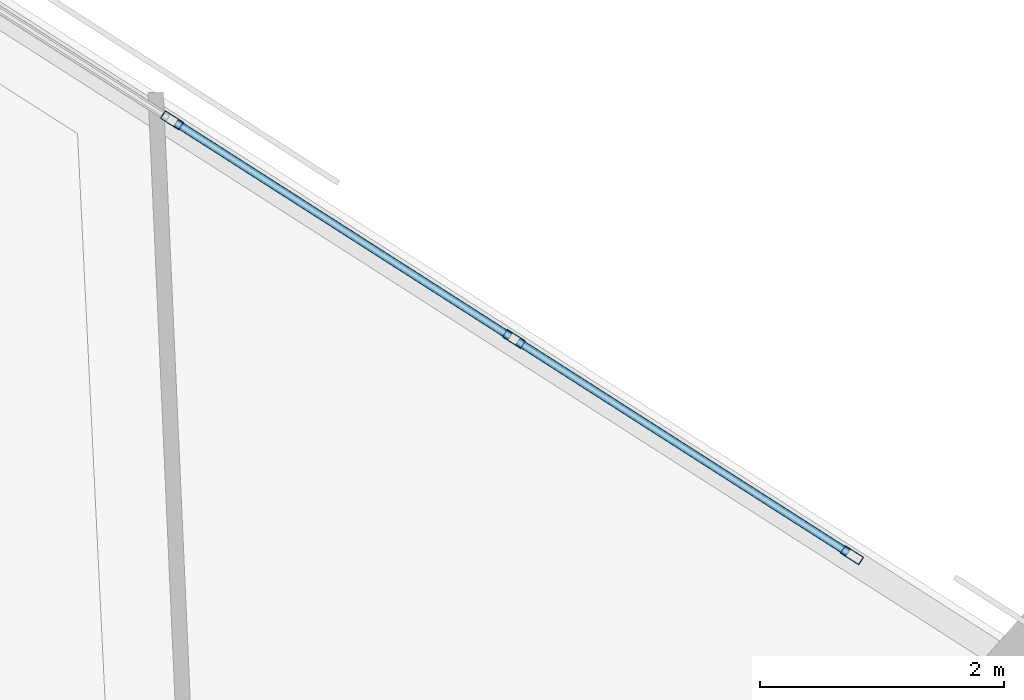
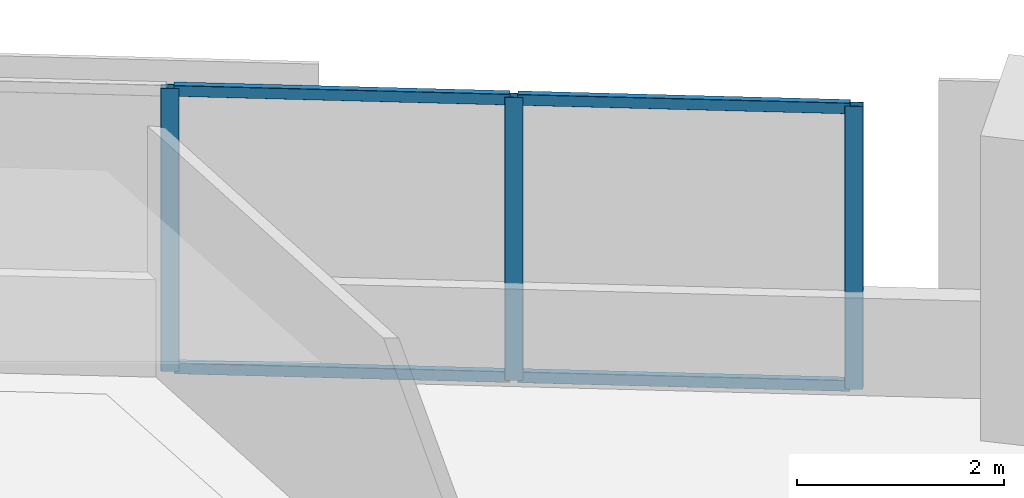
# One storey, part 9 of 15: 7 members, 1 element without a shape of its own.
"""IFC4 building model written with IfcOpenShell, lengths in metres."""

from ifc_helpers import new_model, si_unit, direction, frame, origin, origin_2d, place, context, subcontext, project, spatial, hollow_rectangle, extrude, material, material_profile, profile_set, type_object, element, aggregate, save


model = new_model("IFC4")

# Units and contexts
model_context = context("Model", 3, precision=1e-05, world=origin(), true_north=direction((0.0, 1.0)))
body_context = subcontext(model_context, "Body", "Model", "MODEL_VIEW")
ifc_project = project(units=[si_unit("LENGTHUNIT", "METRE"), si_unit("AREAUNIT", "SQUARE_METRE"), si_unit("VOLUMEUNIT", "CUBIC_METRE"), si_unit("PLANEANGLEUNIT", "RADIAN"), si_unit("MASSUNIT", "GRAM", prefix="KILO")], contexts=[model_context])

# Site, building, storey
site_placement = place(None, origin())
site = spatial("IfcSite", under=ifc_project, at=site_placement, CompositionType="ELEMENT")
building_placement = place(site_placement, origin())
building = spatial("IfcBuilding", under=site, at=building_placement, Name="Narakoshi Arena Tower", CompositionType="ELEMENT")
storey_placement = place(building_placement, frame((0.0, 0.0, 74.10009765625)))
storey = spatial("IfcBuildingStorey", under=building, at=storey_placement, Name="L19", CompositionType="ELEMENT", Elevation=74.10009765625)

# Curtain wall, members
ifc_material = material(Name="Anodised bronze aluminium 6063-T6", Category="aluminium")
curtain_wall_type = type_object("IfcCurtainWallType", Name="CW-HYP-LOW", PredefinedType="NOTDEFINED", material=ifc_material)
curtain_wall_placement = place(storey_placement, origin())
curtain_wall = element("IfcCurtainWall", 1, at=curtain_wall_placement, inside=storey, type_object=curtain_wall_type, Name="L19 Folded Hypotenuse Curtain Wall 2-2", PredefinedType="NOTDEFINED")
ifc_material_profile_1 = material_profile(ifc_material, hollow_rectangle(XDim=0.074951171875, YDim=0.179931640625, WallThickness=0.00390625, OuterFilletRadius=0.0048828125, at=origin_2d()), Name="MUL180x75x4")
ifc_profile_set_1 = profile_set([ifc_material_profile_1], Name="Anodised bronze aluminium 6063-T6")
member_type_1 = type_object("IfcMemberType", Name="MEM-MUL-180", PredefinedType="MULLION", material=ifc_profile_set_1)
member_1_placement = place(storey_placement, frame((83.41943359375, 66.22705078125, 0.0), z_axis=(0.0, 0.0, 1.0), x_axis=(-0.538829098714, -0.842415100992, 0.0)))
member_1 = element("IfcMember", 2, at=member_1_placement, type_object=member_type_1, Name="CW-01 mullion 1", PredefinedType="MULLION", context=body_context, shape_type="SweptSolid", body=[
    extrude(hollow_rectangle(XDim=0.074951171875, YDim=0.179931640625, WallThickness=0.00390625, OuterFilletRadius=0.0048828125, at=origin_2d()), origin(), (0.0, 0.0, 1.0), 3.33984375),
])
member_2_placement = place(storey_placement, frame((80.6474609375, 68.000244140625, 0.0), z_axis=(0.0, 0.0, 1.0), x_axis=(-0.538829098714, -0.842415100992, 0.0)))
member_2 = element("IfcMember", 3, at=member_2_placement, type_object=member_type_1, Name="CW-01 mullion 2", PredefinedType="MULLION", context=body_context, shape_type="SweptSolid", body=[
    extrude(hollow_rectangle(XDim=0.074951171875, YDim=0.179931640625, WallThickness=0.00390625, OuterFilletRadius=0.0048828125, at=origin_2d()), origin(), (0.0, 0.0, 1.0), 3.33984375),
])
member_3_placement = place(storey_placement, frame((77.843505859375, 69.79345703125, 0.0), z_axis=(0.0, 0.0, 1.0), x_axis=(-0.538829098714, -0.842415100992, 0.0)))
member_3 = element("IfcMember", 4, at=member_3_placement, type_object=member_type_1, Name="CW-01 mullion 3", PredefinedType="MULLION", context=body_context, shape_type="SweptSolid", body=[
    extrude(hollow_rectangle(XDim=0.074951171875, YDim=0.179931640625, WallThickness=0.00390625, OuterFilletRadius=0.0048828125, at=origin_2d()), origin(), (0.0, 0.0, 1.0), 3.33984375),
])
ifc_material_profile_2 = material_profile(ifc_material, hollow_rectangle(XDim=0.06494140625, YDim=0.1298828125, WallThickness=0.00390625, OuterFilletRadius=0.0048828125, at=origin_2d()), Name="TRN130x65x4")
ifc_profile_set_2 = profile_set([ifc_material_profile_2], Name="Anodised bronze aluminium 6063-T6")
member_type_2 = type_object("IfcMemberType", Name="MEM-TRN-130", PredefinedType="USERDEFINED", material=ifc_profile_set_2)
member_4_placement = place(storey_placement, frame((83.387939453125, 66.247314453125, 0.032470703125), z_axis=(-0.842424416084, 0.538814535053, 0.0), x_axis=(-0.538814535053, -0.842424416084, 0.0)))
member_4 = element("IfcMember", 5, at=member_4_placement, type_object=member_type_2, Name="CW-01 transom 1.1", ObjectType="TRANSOM", PredefinedType="USERDEFINED", context=body_context, shape_type="SweptSolid", body=[
    extrude(hollow_rectangle(XDim=0.06494140625, YDim=0.1298828125, WallThickness=0.00390625, OuterFilletRadius=0.0048828125, at=origin_2d()), origin(), (0.0, 0.0, 1.0), 3.2158203125),
])
member_5_placement = place(storey_placement, frame((83.387939453125, 66.247314453125, 3.307373046875), z_axis=(-0.842424416084, 0.538814535053, 0.0), x_axis=(-0.538814535053, -0.842424416084, 0.0)))
member_5 = element("IfcMember", 6, at=member_5_placement, type_object=member_type_2, Name="CW-01 transom 1.2", ObjectType="TRANSOM", PredefinedType="USERDEFINED", context=body_context, shape_type="SweptSolid", body=[
    extrude(hollow_rectangle(XDim=0.06494140625, YDim=0.1298828125, WallThickness=0.00390625, OuterFilletRadius=0.0048828125, at=origin_2d()), origin(), (0.0, 0.0, 1.0), 3.2158203125),
])
member_6_placement = place(storey_placement, frame((80.61572265625, 68.020263671875, 0.032470703125), z_axis=(-0.842407668774, 0.5388407182, 0.0), x_axis=(-0.5388407182, -0.842407668774, 0.0)))
member_6 = element("IfcMember", 7, at=member_6_placement, type_object=member_type_2, Name="CW-01 transom 2.1", ObjectType="TRANSOM", PredefinedType="USERDEFINED", context=body_context, shape_type="SweptSolid", body=[
    extrude(hollow_rectangle(XDim=0.06494140625, YDim=0.1298828125, WallThickness=0.00390625, OuterFilletRadius=0.0048828125, at=origin_2d()), origin(), (0.0, 0.0, 1.0), 3.253173828125),
])
member_7_placement = place(storey_placement, frame((80.61572265625, 68.020263671875, 3.307373046875), z_axis=(-0.842407668774, 0.5388407182, 0.0), x_axis=(-0.5388407182, -0.842407668774, 0.0)))
member_7 = element("IfcMember", 8, at=member_7_placement, type_object=member_type_2, Name="CW-01 transom 2.2", ObjectType="TRANSOM", PredefinedType="USERDEFINED", context=body_context, shape_type="SweptSolid", body=[
    extrude(hollow_rectangle(XDim=0.06494140625, YDim=0.1298828125, WallThickness=0.00390625, OuterFilletRadius=0.0048828125, at=origin_2d()), origin(), (0.0, 0.0, 1.0), 3.253173828125),
])
aggregate(curtain_wall, [member_1, member_2, member_3, member_4, member_5, member_6, member_7])

save(model, "model.ifc")
